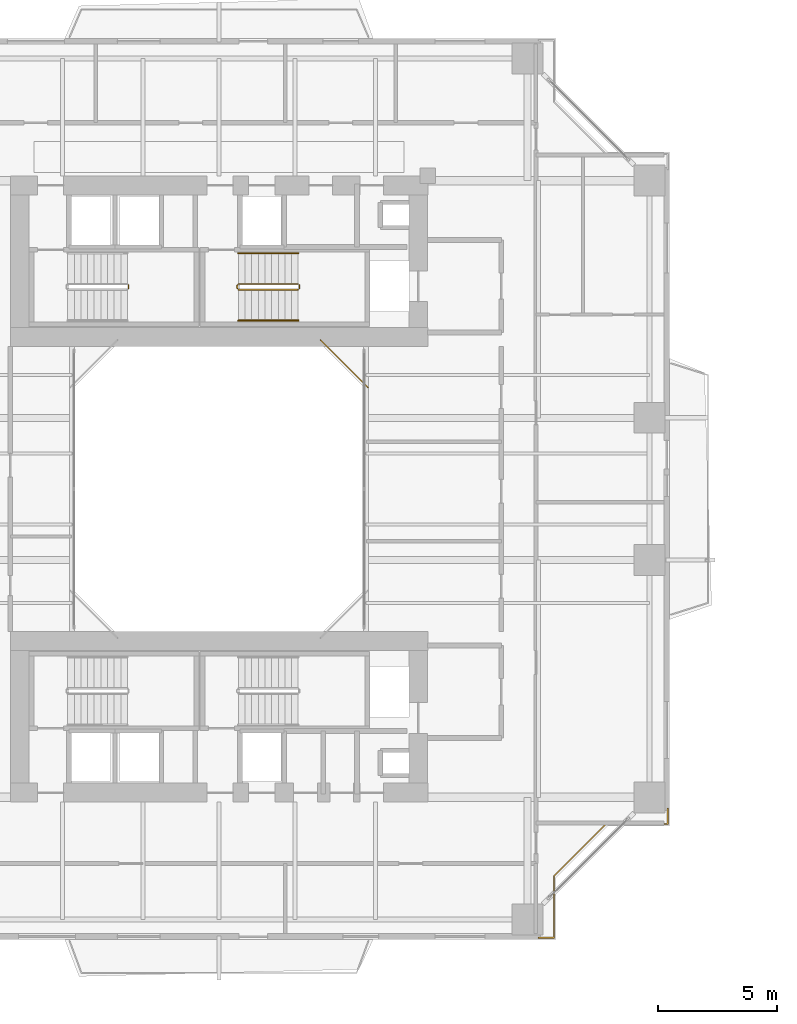
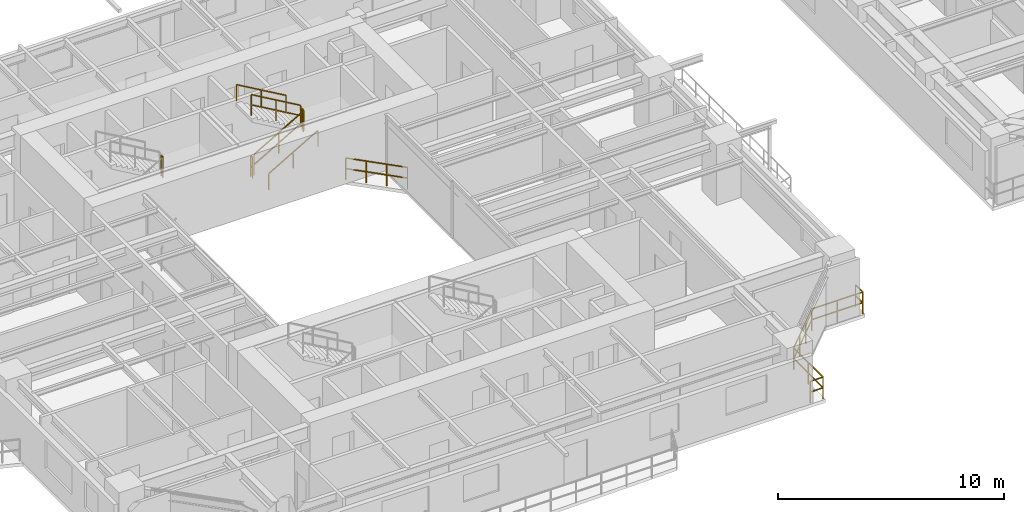
# One storey, part 21 of 23: 9 railings.
"""IFC4 building model written with IfcOpenShell, lengths in metres."""

from ifc_helpers import new_model, si_unit, direction, frame, origin, origin_2d, place, context, subcontext, project, spatial, rectangle, extrude, material, type_object, element, save


model = new_model("IFC4")

# Units and contexts
model_context = context("Model", 3, precision=1e-05, world=origin(), true_north=direction((0.0, 1.0)))
body_context = subcontext(model_context, "Body", "Model", "MODEL_VIEW")
ifc_project = project(units=[si_unit("LENGTHUNIT", "METRE"), si_unit("AREAUNIT", "SQUARE_METRE"), si_unit("VOLUMEUNIT", "CUBIC_METRE"), si_unit("PLANEANGLEUNIT", "RADIAN"), si_unit("MASSUNIT", "GRAM", prefix="KILO"), si_unit("THERMODYNAMICTEMPERATUREUNIT", "KELVIN"), si_unit("POWERUNIT", "WATT")], contexts=[model_context])

# Site, building, storey
site_placement = place(None, origin())
site = spatial("IfcSite", under=ifc_project, at=site_placement, CompositionType="ELEMENT")
building_placement = place(site_placement, origin())
building = spatial("IfcBuilding", under=site, at=building_placement, Name="Qiaomeng Ring Towers", CompositionType="ELEMENT")
storey_placement = place(building_placement, frame((0.0, 0.0, 66.5)))
storey = spatial("IfcBuildingStorey", under=building, at=storey_placement, Name="L18", CompositionType="ELEMENT", Elevation=66.5)

# Railings
ifc_material_1 = material(Name="Low-E pale-green laminated safety glass", Category="glass")
railing_type_1 = type_object("IfcRailingType", Name="ARC-RL-BAL1", PredefinedType="BALUSTRADE", material=ifc_material_1)
railing_1_placement = place(storey_placement, frame((25.280029296875, 27.280029296875, 0.0)))
element("IfcRailing", 1, at=railing_1_placement, inside=storey, type_object=railing_type_1, Name="L18 Balustrade ARC-BAL-WELL1-L18-2", PredefinedType="BALUSTRADE", context=body_context, shape_type="SweptSolid", body=[
    extrude(rectangle(XDim=0.048095703125, YDim=0.048095703125, at=origin_2d()), frame((0.0, 0.0, 1.17578125), z_axis=(-0.707106781187, 0.707106781187, 0.0), x_axis=(-0.707106781187, -0.707106781187, 0.0)), (0.0, 0.0, 1.0), 2.828369140625),
    extrude(rectangle(XDim=0.048095703125, YDim=0.048095703125, at=origin_2d()), frame((0.0, 0.0, 0.60009765625), z_axis=(-0.707106781187, 0.707106781187, 0.0), x_axis=(-0.707106781187, -0.707106781187, 0.0)), (0.0, 0.0, 1.0), 2.828369140625),
    extrude(rectangle(XDim=0.0419921875, YDim=0.0419921875, at=origin_2d()), origin(), (0.0, 0.0, 1.0), 1.15185546875),
    extrude(rectangle(XDim=0.0419921875, YDim=0.0419921875, at=origin_2d()), frame((-0.666748046875, 0.666748046875, 0.0)), (0.0, 0.0, 1.0), 1.15185546875),
    extrude(rectangle(XDim=0.0419921875, YDim=0.0419921875, at=origin_2d()), frame((-1.333251953125, 1.333251953125, 0.0)), (0.0, 0.0, 1.0), 1.15185546875),
    extrude(rectangle(XDim=0.0419921875, YDim=0.0419921875, at=origin_2d()), frame((-2.0, 2.0, 0.0)), (0.0, 0.0, 1.0), 1.15185546875),
])
railing_2_placement = place(storey_placement, frame((32.469970703125, 4.080078125, 0.0)))
element("IfcRailing", 2, at=railing_2_placement, inside=storey, type_object=railing_type_1, Name="L18 Balustrade ARC-BAL-NOTCH1-L18-SE", PredefinedType="BALUSTRADE", context=body_context, shape_type="SweptSolid", body=[
    extrude(rectangle(XDim=0.048095703125, YDim=0.048095703125, at=origin_2d()), frame((0.0, 0.0, 1.17578125), z_axis=(1.0, 0.0, 0.0), x_axis=(0.0, 1.0, 0.0)), (0.0, 0.0, 1.0), 0.650146484375),
    extrude(rectangle(XDim=0.048095703125, YDim=0.048095703125, at=origin_2d()), frame((0.0, 0.0, 0.60009765625), z_axis=(1.0, 0.0, 0.0), x_axis=(0.0, 1.0, 0.0)), (0.0, 0.0, 1.0), 0.650146484375),
    extrude(rectangle(XDim=0.048095703125, YDim=0.048095703125, at=origin_2d()), frame((0.650146484375, 0.0, 1.17578125), z_axis=(0.0, 1.0, 0.0), x_axis=(-1.0, 0.0, 0.0)), (0.0, 0.0, 1.0), 2.599853515625),
    extrude(rectangle(XDim=0.048095703125, YDim=0.048095703125, at=origin_2d()), frame((0.650146484375, 0.0, 0.60009765625), z_axis=(0.0, 1.0, 0.0), x_axis=(-1.0, 0.0, 0.0)), (0.0, 0.0, 1.0), 2.599853515625),
    extrude(rectangle(XDim=0.048095703125, YDim=0.048095703125, at=origin_2d()), frame((0.650146484375, 2.599853515625, 1.17578125), z_axis=(0.707106781187, 0.707106781187, 0.0), x_axis=(-0.707106781187, 0.707106781187, 0.0)), (0.0, 0.0, 1.0), 3.111083984375),
    extrude(rectangle(XDim=0.048095703125, YDim=0.048095703125, at=origin_2d()), frame((0.650146484375, 2.599853515625, 0.60009765625), z_axis=(0.707106781187, 0.707106781187, 0.0), x_axis=(-0.707106781187, 0.707106781187, 0.0)), (0.0, 0.0, 1.0), 3.111083984375),
    extrude(rectangle(XDim=0.048095703125, YDim=0.048095703125, at=origin_2d()), frame((2.85009765625, 4.7998046875, 1.17578125), z_axis=(1.0, 0.0, 0.0), x_axis=(0.0, 1.0, 0.0)), (0.0, 0.0, 1.0), 2.599853515625),
    extrude(rectangle(XDim=0.048095703125, YDim=0.048095703125, at=origin_2d()), frame((2.85009765625, 4.7998046875, 0.60009765625), z_axis=(1.0, 0.0, 0.0), x_axis=(0.0, 1.0, 0.0)), (0.0, 0.0, 1.0), 2.599853515625),
    extrude(rectangle(XDim=0.048095703125, YDim=0.048095703125, at=origin_2d()), frame((5.449951171875, 4.7998046875, 1.17578125), z_axis=(0.0, 1.0, 0.0), x_axis=(-1.0, 0.0, 0.0)), (0.0, 0.0, 1.0), 0.650146484375),
    extrude(rectangle(XDim=0.048095703125, YDim=0.048095703125, at=origin_2d()), frame((5.449951171875, 4.7998046875, 0.60009765625), z_axis=(0.0, 1.0, 0.0), x_axis=(-1.0, 0.0, 0.0)), (0.0, 0.0, 1.0), 0.650146484375),
    extrude(rectangle(XDim=0.0419921875, YDim=0.0419921875, at=origin_2d()), origin(), (0.0, 0.0, 1.0), 1.15185546875),
    extrude(rectangle(XDim=0.0419921875, YDim=0.0419921875, at=origin_2d()), frame((0.650146484375, 0.0, 0.0)), (0.0, 0.0, 1.0), 1.15185546875),
    extrude(rectangle(XDim=0.0419921875, YDim=0.0419921875, at=origin_2d()), frame((0.650146484375, 1.2998046875, 0.0)), (0.0, 0.0, 1.0), 1.15185546875),
    extrude(rectangle(XDim=0.0419921875, YDim=0.0419921875, at=origin_2d()), frame((0.650146484375, 2.599853515625, 0.0)), (0.0, 0.0, 1.0), 1.15185546875),
    extrude(rectangle(XDim=0.0419921875, YDim=0.0419921875, at=origin_2d()), frame((1.383544921875, 3.333251953125, 0.0)), (0.0, 0.0, 1.0), 1.15185546875),
    extrude(rectangle(XDim=0.0419921875, YDim=0.0419921875, at=origin_2d()), frame((2.11669921875, 4.06640625, 0.0)), (0.0, 0.0, 1.0), 1.15185546875),
    extrude(rectangle(XDim=0.0419921875, YDim=0.0419921875, at=origin_2d()), frame((2.85009765625, 4.7998046875, 0.0)), (0.0, 0.0, 1.0), 1.15185546875),
    extrude(rectangle(XDim=0.0419921875, YDim=0.0419921875, at=origin_2d()), frame((4.14990234375, 4.7998046875, 0.0)), (0.0, 0.0, 1.0), 1.15185546875),
    extrude(rectangle(XDim=0.0419921875, YDim=0.0419921875, at=origin_2d()), frame((5.449951171875, 4.7998046875, 0.0)), (0.0, 0.0, 1.0), 1.15185546875),
    extrude(rectangle(XDim=0.0419921875, YDim=0.0419921875, at=origin_2d()), frame((5.449951171875, 5.449951171875, 0.0)), (0.0, 0.0, 1.0), 1.15185546875),
])
ifc_material_2 = material(Name="Galvanised steel", Category="steel")
railing_type_2 = type_object("IfcRailingType", Name="ARC-RL-GUARD", PredefinedType="GUARDRAIL", material=ifc_material_2)
railing_3_placement = place(storey_placement, frame((15.18994140625, 31.449951171875, 1.625)))
element("IfcRailing", 3, at=railing_3_placement, inside=storey, type_object=railing_type_2, Name="L18 ST1 stair guard 2", PredefinedType="GUARDRAIL", context=body_context, shape_type="SweptSolid", body=[
    extrude(rectangle(XDim=0.048095703125, YDim=0.048095703125, at=origin_2d()), frame((0.0, 0.0, 1.1259765625), z_axis=(0.0, 1.0, 0.0), x_axis=(-1.0, 0.0, 0.0)), (0.0, 0.0, 1.0), 0.14013671875),
    extrude(rectangle(XDim=0.048095703125, YDim=0.048095703125, at=origin_2d()), frame((0.0, 0.0, 0.574951171875), z_axis=(0.0, 1.0, 0.0), x_axis=(-1.0, 0.0, 0.0)), (0.0, 0.0, 1.0), 0.14013671875),
    extrude(rectangle(XDim=0.0419921875, YDim=0.0419921875, at=origin_2d()), origin(), (0.0, 0.0, 1.0), 1.101806640625),
    extrude(rectangle(XDim=0.0419921875, YDim=0.0419921875, at=origin_2d()), frame((0.0, 0.14013671875, 0.0)), (0.0, 0.0, 1.0), 1.101806640625),
])
railing_4_placement = place(storey_placement, frame((19.820068359375, 31.39990234375, 0.16259765625)))
element("IfcRailing", 4, at=railing_4_placement, inside=storey, type_object=railing_type_2, Name="L18 ST2 stair guard 1", PredefinedType="GUARDRAIL", context=body_context, shape_type="SweptSolid", body=[
    extrude(rectangle(XDim=0.048095703125, YDim=0.048095703125, at=origin_2d()), frame((0.0, 0.0, 1.1259765625), z_axis=(0.864913338283, 0.0, 0.50192122615), x_axis=(0.0, 1.0, 0.0)), (0.0, 0.0, 1.0), 2.91357421875),
    extrude(rectangle(XDim=0.048095703125, YDim=0.048095703125, at=origin_2d()), frame((0.0, 0.0, 0.574951171875), z_axis=(0.864913338283, 0.0, 0.50192122615), x_axis=(0.0, 1.0, 0.0)), (0.0, 0.0, 1.0), 2.91357421875),
    extrude(rectangle(XDim=0.0419921875, YDim=0.0419921875, at=origin_2d()), origin(), (0.0, 0.0, 1.0), 1.101806640625),
    extrude(rectangle(XDim=0.0419921875, YDim=0.0419921875, at=origin_2d()), frame((1.260009765625, 0.0, 0.731201171875)), (0.0, 0.0, 1.0), 1.101806640625),
    extrude(rectangle(XDim=0.0419921875, YDim=0.0419921875, at=origin_2d()), frame((2.52001953125, 0.0, 1.46240234375)), (0.0, 0.0, 1.0), 1.101806640625),
])
railing_5_placement = place(storey_placement, frame((22.389892578125, 31.449951171875, 1.625)))
element("IfcRailing", 5, at=railing_5_placement, inside=storey, type_object=railing_type_2, Name="L18 ST2 stair guard 2", PredefinedType="GUARDRAIL", context=body_context, shape_type="SweptSolid", body=[
    extrude(rectangle(XDim=0.048095703125, YDim=0.048095703125, at=origin_2d()), frame((0.0, 0.0, 1.1259765625), z_axis=(0.0, 1.0, 0.0), x_axis=(-1.0, 0.0, 0.0)), (0.0, 0.0, 1.0), 0.14013671875),
    extrude(rectangle(XDim=0.048095703125, YDim=0.048095703125, at=origin_2d()), frame((0.0, 0.0, 0.574951171875), z_axis=(0.0, 1.0, 0.0), x_axis=(-1.0, 0.0, 0.0)), (0.0, 0.0, 1.0), 0.14013671875),
    extrude(rectangle(XDim=0.0419921875, YDim=0.0419921875, at=origin_2d()), origin(), (0.0, 0.0, 1.0), 1.101806640625),
    extrude(rectangle(XDim=0.0419921875, YDim=0.0419921875, at=origin_2d()), frame((0.0, 0.14013671875, 0.0)), (0.0, 0.0, 1.0), 1.101806640625),
])
railing_6_placement = place(storey_placement, frame((22.340087890625, 31.639892578125, 1.78759765625)))
element("IfcRailing", 6, at=railing_6_placement, inside=storey, type_object=railing_type_2, Name="L18 ST2 stair guard 3", PredefinedType="GUARDRAIL", context=body_context, shape_type="SweptSolid", body=[
    extrude(rectangle(XDim=0.048095703125, YDim=0.048095703125, at=origin_2d()), frame((0.0, 0.0, 1.1259765625), z_axis=(-0.864913338283, 0.0, 0.50192122615), x_axis=(0.0, -1.0, 0.0)), (0.0, 0.0, 1.0), 2.91357421875),
    extrude(rectangle(XDim=0.048095703125, YDim=0.048095703125, at=origin_2d()), frame((0.0, 0.0, 0.574951171875), z_axis=(-0.864913338283, 0.0, 0.50192122615), x_axis=(0.0, -1.0, 0.0)), (0.0, 0.0, 1.0), 2.91357421875),
    extrude(rectangle(XDim=0.0419921875, YDim=0.0419921875, at=origin_2d()), origin(), (0.0, 0.0, 1.0), 1.101806640625),
    extrude(rectangle(XDim=0.0419921875, YDim=0.0419921875, at=origin_2d()), frame((-1.260009765625, 0.0, 0.731201171875)), (0.0, 0.0, 1.0), 1.101806640625),
    extrude(rectangle(XDim=0.0419921875, YDim=0.0419921875, at=origin_2d()), frame((-2.52001953125, 0.0, 1.46240234375)), (0.0, 0.0, 1.0), 1.101806640625),
])
railing_7_placement = place(storey_placement, frame((19.77001953125, 31.449951171875, 0.0)))
element("IfcRailing", 7, at=railing_7_placement, inside=storey, type_object=railing_type_2, Name="L18 ST2 stair guard 4", PredefinedType="GUARDRAIL", context=body_context, shape_type="SweptSolid", body=[
    extrude(rectangle(XDim=0.048095703125, YDim=0.048095703125, at=origin_2d()), frame((0.0, 0.0, 1.1259765625), z_axis=(0.0, 1.0, 0.0), x_axis=(-1.0, 0.0, 0.0)), (0.0, 0.0, 1.0), 0.14013671875),
    extrude(rectangle(XDim=0.048095703125, YDim=0.048095703125, at=origin_2d()), frame((0.0, 0.0, 0.574951171875), z_axis=(0.0, 1.0, 0.0), x_axis=(-1.0, 0.0, 0.0)), (0.0, 0.0, 1.0), 0.14013671875),
    extrude(rectangle(XDim=0.0419921875, YDim=0.0419921875, at=origin_2d()), origin(), (0.0, 0.0, 1.0), 1.101806640625),
    extrude(rectangle(XDim=0.0419921875, YDim=0.0419921875, at=origin_2d()), frame((0.0, 0.14013671875, 0.0)), (0.0, 0.0, 1.0), 1.101806640625),
])
ifc_material_3 = material(Name="Stainless steel 316", Category="steel")
railing_type_3 = type_object("IfcRailingType", Name="ARC-RL-HAND", PredefinedType="HANDRAIL", material=ifc_material_3)
railing_8_placement = place(storey_placement, frame((19.820068359375, 30.10009765625, 0.16259765625)))
element("IfcRailing", 8, at=railing_8_placement, inside=storey, type_object=railing_type_3, Name="L18 ST2 stair handrail 1", PredefinedType="HANDRAIL", context=body_context, shape_type="SweptSolid", body=[
    extrude(rectangle(XDim=0.048095703125, YDim=0.048095703125, at=origin_2d()), frame((0.0, 0.0, 0.8759765625), z_axis=(0.864913338283, 0.0, 0.50192122615), x_axis=(0.0, 1.0, 0.0)), (0.0, 0.0, 1.0), 2.91357421875),
    extrude(rectangle(XDim=0.0419921875, YDim=0.0419921875, at=origin_2d()), origin(), (0.0, 0.0, 1.0), 0.851806640625),
    extrude(rectangle(XDim=0.0419921875, YDim=0.0419921875, at=origin_2d()), frame((1.260009765625, 0.0, 0.731201171875)), (0.0, 0.0, 1.0), 0.851806640625),
    extrude(rectangle(XDim=0.0419921875, YDim=0.0419921875, at=origin_2d()), frame((2.52001953125, 0.0, 1.46240234375)), (0.0, 0.0, 1.0), 0.851806640625),
])
railing_9_placement = place(storey_placement, frame((22.340087890625, 32.93994140625, 1.78759765625)))
element("IfcRailing", 9, at=railing_9_placement, inside=storey, type_object=railing_type_3, Name="L18 ST2 stair handrail 2", PredefinedType="HANDRAIL", context=body_context, shape_type="SweptSolid", body=[
    extrude(rectangle(XDim=0.048095703125, YDim=0.048095703125, at=origin_2d()), frame((0.0, 0.0, 0.8759765625), z_axis=(-0.864913338283, 0.0, 0.50192122615), x_axis=(0.0, -1.0, 0.0)), (0.0, 0.0, 1.0), 2.91357421875),
    extrude(rectangle(XDim=0.0419921875, YDim=0.0419921875, at=origin_2d()), origin(), (0.0, 0.0, 1.0), 0.851806640625),
    extrude(rectangle(XDim=0.0419921875, YDim=0.0419921875, at=origin_2d()), frame((-1.260009765625, 0.0, 0.731201171875)), (0.0, 0.0, 1.0), 0.851806640625),
    extrude(rectangle(XDim=0.0419921875, YDim=0.0419921875, at=origin_2d()), frame((-2.52001953125, 0.0, 1.46240234375)), (0.0, 0.0, 1.0), 0.851806640625),
])

save(model, "model.ifc")
